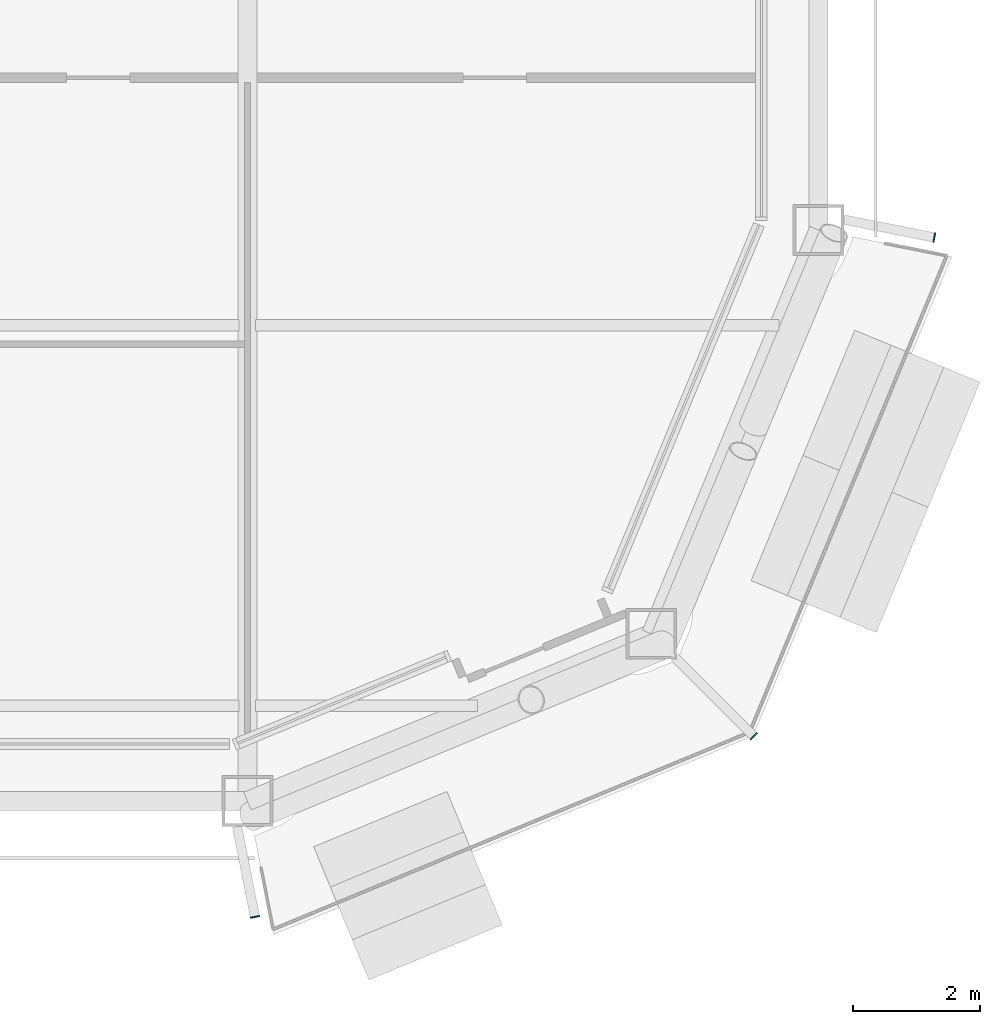
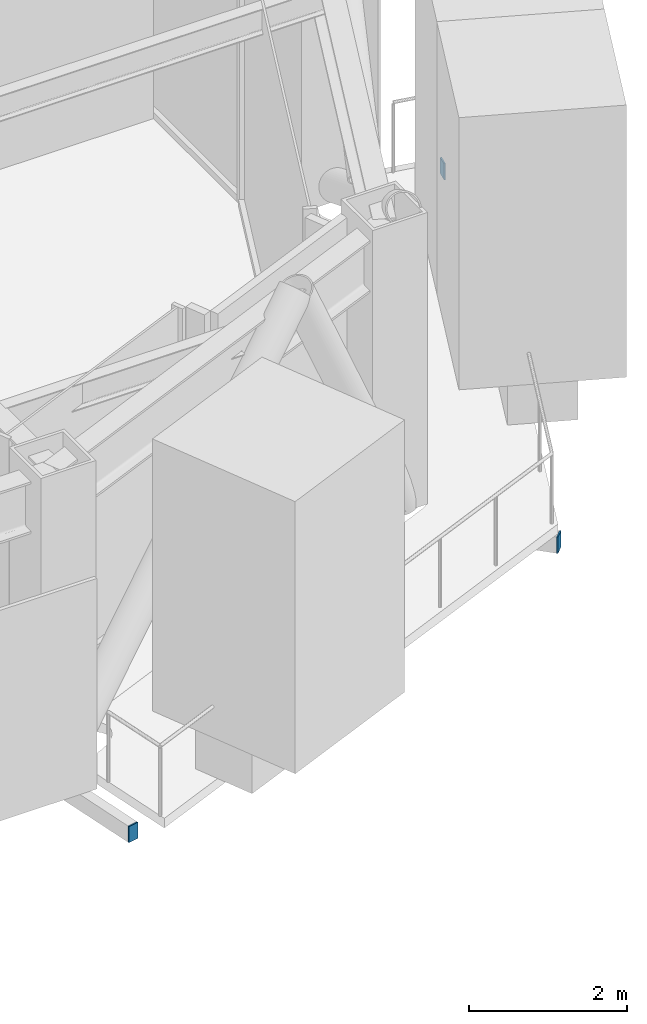
# One storey, part 17 of 23: 3 discrete accessories.
"""IFC4 building model written with IfcOpenShell, lengths in metres."""

from ifc_helpers import new_model, si_unit, direction, frame, origin, origin_2d, place, context, subcontext, project, spatial, rectangle, extrude, material, layer, layer_set, type_object, element, save


model = new_model("IFC4")

# Units and contexts
model_context = context("Model", 3, precision=1e-05, world=origin(), true_north=direction((0.0, 1.0)))
body_context = subcontext(model_context, "Body", "Model", "MODEL_VIEW")
ifc_project = project(units=[si_unit("LENGTHUNIT", "METRE"), si_unit("AREAUNIT", "SQUARE_METRE"), si_unit("VOLUMEUNIT", "CUBIC_METRE"), si_unit("PLANEANGLEUNIT", "RADIAN"), si_unit("MASSUNIT", "GRAM", prefix="KILO")], contexts=[model_context])

# Site, building, storey
site_placement = place(None, origin())
site = spatial("IfcSite", under=ifc_project, at=site_placement, CompositionType="ELEMENT")
building_placement = place(site_placement, origin())
building = spatial("IfcBuilding", under=site, at=building_placement, Name="Siwar Civic Tower", CompositionType="ELEMENT")
storey_placement = place(building_placement, frame((0.0, 0.0, 273.699951171875)))
storey = spatial("IfcBuildingStorey", under=building, at=storey_placement, Name="L59", CompositionType="ELEMENT", Elevation=273.699951171875)

# Discrete accessories
ifc_material = material(Name="Steel S355", Category="steel")
ifc_layer = layer(ifc_material, 0.02001953125)
ifc_layer_set = layer_set([ifc_layer], Name="Steel S355")
discrete_accessory_type = type_object("IfcDiscreteAccessoryType", Name="STR-END-CAP", PredefinedType="USERDEFINED", material=ifc_layer_set)
for number, where, z_axis, x_axis, name in (
    (1, (18.118408203125, -28.8251953125, -0.39990234375), (0.0, 0.0, 1.0), (0.195090321691, -0.980785280468, 0.0), "End cap plate Balcony cantilever beam SE 1"),
    (2, (25.978271484375, -25.978271484375, -0.39990234375), (0.0, 0.0, 1.0), (0.707106781187, -0.707106781187, 0.0), "End cap plate Balcony cantilever beam SE 2"),
    (3, (28.8251953125, -18.118408203125, -0.39990234375), (0.0, 0.0, 1.0), (0.980785280468, -0.195090321691, 0.0), "End cap plate Balcony cantilever beam SE 3"),
):
    element("IfcDiscreteAccessory", number, at=place(storey_placement, frame(where, z_axis=z_axis, x_axis=x_axis)), inside=storey, type_object=discrete_accessory_type, Name=name, ObjectType="END CAP PLATE", PredefinedType="USERDEFINED", context=body_context, shape_type="SweptSolid", body=[
        extrude(rectangle(XDim=0.02001953125, YDim=0.14990234375, at=origin_2d()), origin(), (0.0, 0.0, 1.0), 0.25),
    ])

save(model, "model.ifc")
